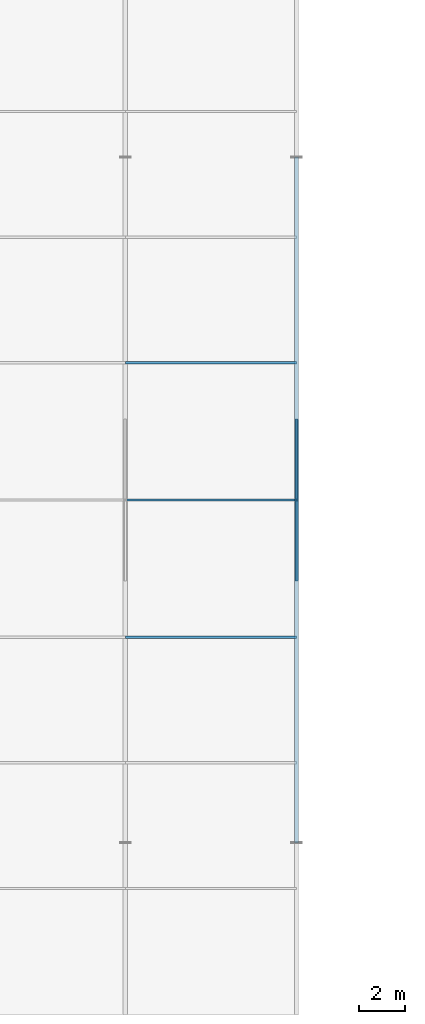
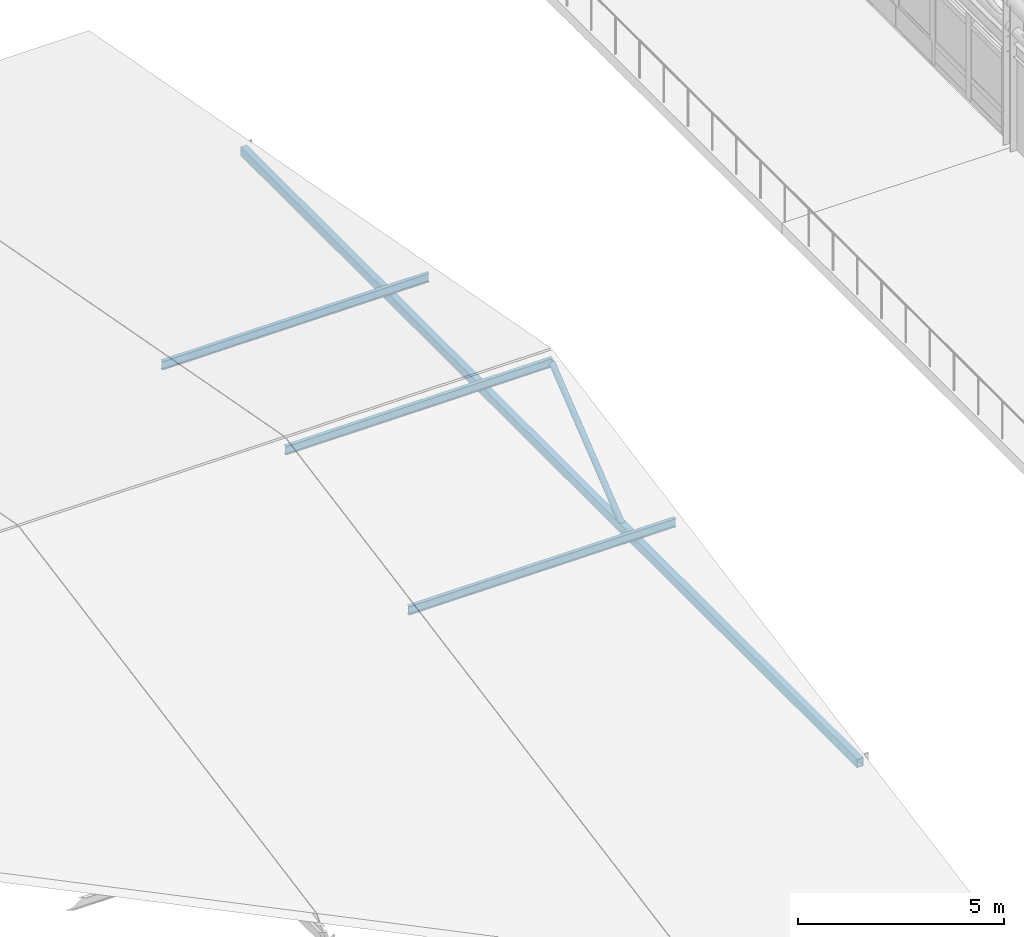
# One storey, part 11 of 168: 6 members.
"""IFC4 building model written with IfcOpenShell, lengths in metres."""

from ifc_helpers import new_model, si_unit, direction, frame, origin, origin_2d, place, context, subcontext, project, spatial, hollow_rectangle, hollow_circle, i_section, extrude, material, material_profile, profile_set, type_object, element, save


model = new_model("IFC4")

# Units and contexts
model_context = context("Model", 3, precision=1e-05, world=origin(), true_north=direction((0.0, 1.0)))
body_context = subcontext(model_context, "Body", "Model", "MODEL_VIEW")
ifc_project = project(units=[si_unit("LENGTHUNIT", "METRE"), si_unit("AREAUNIT", "SQUARE_METRE"), si_unit("VOLUMEUNIT", "CUBIC_METRE"), si_unit("PLANEANGLEUNIT", "RADIAN"), si_unit("MASSUNIT", "GRAM", prefix="KILO"), si_unit("THERMODYNAMICTEMPERATUREUNIT", "KELVIN"), si_unit("POWERUNIT", "WATT")], contexts=[model_context])

# Site, building, storey
site_placement = place(None, origin())
site = spatial("IfcSite", under=ifc_project, at=site_placement, CompositionType="ELEMENT")
building_placement = place(site_placement, origin())
building = spatial("IfcBuilding", under=site, at=building_placement, Name="Tepalcoro Natatorium and Aquatics Centre", CompositionType="ELEMENT")
storey_placement = place(building_placement, frame((0.0, 0.0, 10.199951171875)))
storey = spatial("IfcBuildingStorey", under=building, at=storey_placement, Name="L02", CompositionType="ELEMENT", Elevation=10.199951171875)

# Members
ifc_material_1 = material(Name="Terracotta Painted Hollow Steel ASTM A500 Grade C (Fy 345 MPa)", Category="masonry")
ifc_material_profile_1 = material_profile(ifc_material_1, hollow_rectangle(XDim=0.179931640625, YDim=0.260009765625, WallThickness=0.013916015625, at=origin_2d()), Name="HSS260X180X14")
ifc_profile_set_1 = profile_set([ifc_material_profile_1], Name="Terracotta Painted Hollow Steel ASTM A500 Grade C (Fy 345 MPa)")
member_type_1 = type_object("IfcMemberType", Name="MB_AT_HSS260x180x14", PredefinedType="USERDEFINED", material=ifc_profile_set_1)
member_placement = place(storey_placement, frame((36.0, 14.0, 0.993408203125), z_axis=(0.0, 1.0, 0.0), x_axis=(-1.0, 0.0, 0.0)))
element("IfcMember", 1, at=member_placement, inside=storey, type_object=member_type_1, Name="V3 Pediment Roof Truss Collar Tie", ObjectType="ARCH TIE", PredefinedType="USERDEFINED", context=body_context, shape_type="SweptSolid", body=[
    extrude(hollow_rectangle(XDim=0.179931640625, YDim=0.260009765625, WallThickness=0.013916015625, at=origin_2d()), origin(), (0.0, 0.0, 1.0), 30.0),
])
ifc_material_2 = material(Name="Steel ASTM A992 Grade 50 (Fy 345 MPa)", Category="steel")
ifc_material_profile_2 = material_profile(ifc_material_2, i_section(OverallWidth=0.10205078125, OverallDepth=0.259033203125, WebThickness=0.006103515625, FlangeThickness=0.010009765625, FilletRadius=0.013916015625, at=origin_2d()), Name="W10X19")
ifc_profile_set_2 = profile_set([ifc_material_profile_2], Name="Steel ASTM A992 Grade 50 (Fy 345 MPa)")
member_type_2 = type_object("IfcMemberType", Name="MB_PR_W10x19", PredefinedType="PURLIN", material=ifc_profile_set_2)
for number, where, z_axis, x_axis, name in (
    (2, (28.5, 23.0, 2.6953125), (1.0, 0.0, 0.0), (0.0, 1.0, 0.0), "V3 Pediment Roof Purlin"),
    (3, (28.5, 29.0, 3.81005859375), (1.0, 0.0, 0.0), (0.0, 1.0, 0.0), "V3 Pediment Roof Purlin"),
    (4, (28.5, 35.0, 2.6953125), (1.0, 0.0, 0.0), (0.0, 1.0, 0.0), "V3 Pediment Roof Purlin"),
):
    element("IfcMember", number, at=place(storey_placement, frame(where, z_axis=z_axis, x_axis=x_axis)), inside=storey, type_object=member_type_2, Name=name, PredefinedType="PURLIN", context=body_context, shape_type="SweptSolid", body=[
        extrude(i_section(OverallWidth=0.10205078125, OverallDepth=0.259033203125, WebThickness=0.006103515625, FlangeThickness=0.010009765625, FilletRadius=0.013916015625, at=origin_2d()), origin(), (0.0, 0.0, 1.0), 7.5),
    ])
ifc_material_profile_3 = material_profile(ifc_material_1, hollow_circle(Radius=0.083984375, WallThickness=0.011962890625, at=origin_2d()), Name="CHS168X12")
ifc_profile_set_3 = profile_set([ifc_material_profile_3], Name="Terracotta Painted Hollow Steel ASTM A500 Grade C (Fy 345 MPa)")
member_type_3 = type_object("IfcMemberType", Name="MB_ST_CHS168x12", PredefinedType="STRUT", material=ifc_profile_set_3)
for number, where, z_axis, x_axis, name in (
    (5, (36.0, 25.5, 0.993408203125), (0.0, 0.782325448179, 0.622869884592), (-1.0, 0.0, 0.0), "V3 Pediment Roof Truss Web Diagonal S"),
    (6, (36.0, 32.5, 0.993408203125), (0.0, -0.782325448179, 0.622869884592), (1.0, 0.0, 0.0), "V3 Pediment Roof Truss Web Diagonal N"),
):
    element("IfcMember", number, at=place(storey_placement, frame(where, z_axis=z_axis, x_axis=x_axis)), inside=storey, type_object=member_type_3, Name=name, PredefinedType="STRUT", context=body_context, shape_type="SweptSolid", body=[
        extrude(hollow_circle(Radius=0.083984375, WallThickness=0.011962890625, at=origin_2d()), origin(), (0.0, 0.0, 1.0), 4.473876953125),
    ])

save(model, "model.ifc")
